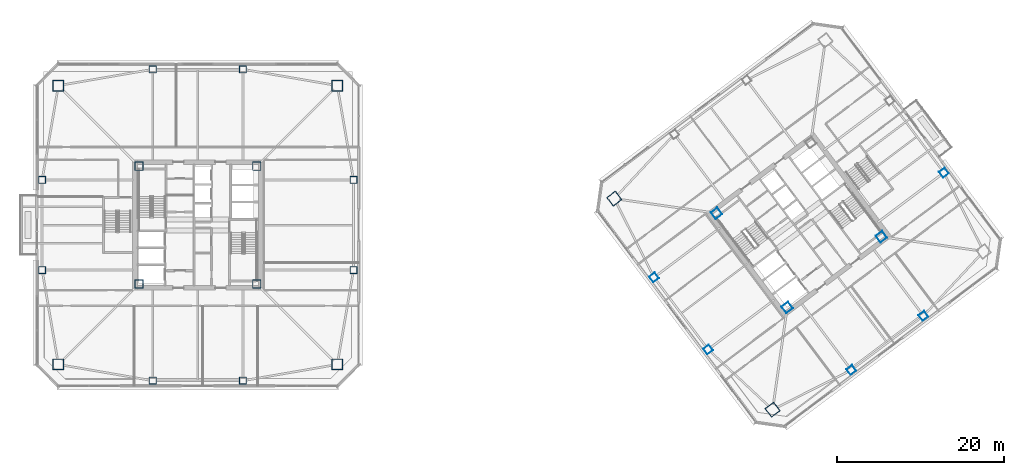
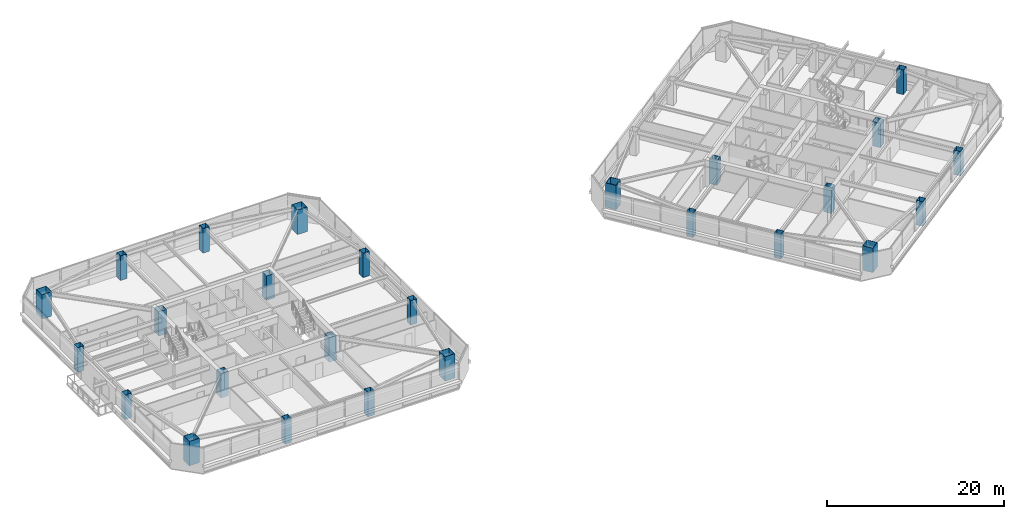
# One storey, part 1 of 44: 26 columns.
"""IFC4 building model written with IfcOpenShell, lengths in metres."""

import ifcopenshell
import ifcopenshell.guid

model = None  # the IFC model being written
_history = None  # IfcOwnerHistory: only IFC2X3 demands one
_inside = {}  # id of a spatial element -> (the spatial element, [elements in it])
_under = {}  # id of a project, library or spatial element -> (it, [spatial elements below it])
_declared = {}  # id of a project -> (the project, [libraries it declares])
_typed = {}  # id of a type object -> (the type object, [elements of that type])
_made_of = {}  # id of a material, layer set ... -> (it, [elements and type objects made of it])


def new_model(schema):
    """Start an empty IFC model of exactly this schema.

    Asked for "IFC4X3", IfcOpenShell would pick the latest addendum, in which some entities
    have other attributes; the version numbers below select the first issue.
    IFC2X3 requires an IfcOwnerHistory on every rooted entity: one is made here for all.
    """
    global model, _history
    if schema == "IFC4X3":
        model = ifcopenshell.file(schema_version=(4, 3, 0, 0))
    else:
        model = ifcopenshell.file(schema=schema)
    _inside.clear()
    _under.clear()
    _declared.clear()
    _typed.clear()
    _made_of.clear()
    _history = None
    if model.schema == "IFC2X3":
        org = make("IfcOrganization", Name="unknown")
        user = make(
            "IfcPersonAndOrganization",
            ThePerson=make("IfcPerson", FamilyName="unknown"),
            TheOrganization=org,
        )
        app = make(
            "IfcApplication",
            ApplicationDeveloper=org,
            Version="unknown",
            ApplicationFullName="unknown",
            ApplicationIdentifier="unknown",
        )
        _history = make(
            "IfcOwnerHistory",
            OwningUser=user,
            OwningApplication=app,
            ChangeAction="ADDED",
            CreationDate=0,
        )
    return model


def make(cls, **values):
    """One entity of the class cls with the attributes given. An attribute that is None is left unset."""
    return model.create_entity(
        cls, **{name: value for name, value in values.items() if value is not None}
    )


def rooted(cls, **values):
    """An entity with a GlobalId (a new one), such as an element, a storey or a relation."""
    return make(cls, GlobalId=ifcopenshell.guid.new(), OwnerHistory=_history, **values)


def si_unit(unit_type, name, prefix=None):
    """IfcSIUnit, for example si_unit("LENGTHUNIT", "METRE", prefix="MILLI")."""
    return make("IfcSIUnit", UnitType=unit_type, Prefix=prefix, Name=name)


def assignment(units):
    """IfcUnitAssignment: the units of a project."""
    return None if units is None else make("IfcUnitAssignment", Units=units)


def point(xyz):
    """IfcCartesianPoint."""
    return None if xyz is None else make("IfcCartesianPoint", Coordinates=xyz)


def direction(xyz):
    """IfcDirection."""
    return None if xyz is None else make("IfcDirection", DirectionRatios=xyz)


def frame(location, z_axis=None, x_axis=None):
    """IfcAxis2Placement3D, a coordinate frame: its origin and axes. An axis left out is left unset."""
    return make(
        "IfcAxis2Placement3D",
        Location=point(location),
        Axis=direction(z_axis),
        RefDirection=direction(x_axis),
    )


def frame_2d(location, x_axis=None):
    """IfcAxis2Placement2D, a coordinate frame in the plane: its origin and x axis."""
    return make(
        "IfcAxis2Placement2D", Location=point(location), RefDirection=direction(x_axis)
    )


def origin():
    """The frame at (0, 0, 0) with its axes left unset."""
    return frame((0.0, 0.0, 0.0))


def origin_2d():
    """The frame at (0, 0) in the plane with its x axis left unset."""
    return frame_2d((0.0, 0.0))


def place(relative_to, where):
    """IfcLocalPlacement: puts the frame where relative to a parent placement (None: the world)."""
    return make(
        "IfcLocalPlacement", PlacementRelTo=relative_to, RelativePlacement=where
    )


def context(
    kind, dimensions, precision=None, world=None, true_north=None, identifier=None
):
    """IfcGeometricRepresentationContext, for example the 3D "Model" context."""
    return make(
        "IfcGeometricRepresentationContext",
        ContextIdentifier=identifier,
        ContextType=kind,
        CoordinateSpaceDimension=dimensions,
        Precision=precision,
        WorldCoordinateSystem=world,
        TrueNorth=true_north,
    )


def subcontext(parent, identifier, kind, view, scale=None):
    """IfcGeometricRepresentationSubContext, for example "Body" below "Model"."""
    return make(
        "IfcGeometricRepresentationSubContext",
        ContextIdentifier=identifier,
        ContextType=kind,
        ParentContext=parent,
        TargetScale=scale,
        TargetView=view,
    )


def project(units=None, contexts=None):
    """IfcProject with its units and contexts."""
    return rooted(
        "IfcProject",
        Name="project",
        RepresentationContexts=contexts,
        UnitsInContext=assignment(units),
    )


def spatial(cls, under=None, at=None, **own):
    """A site, building, storey or space (cls), placed at a placement, below another one or the project."""
    s = rooted(cls, ObjectPlacement=at, **own)
    if under is not None:
        _under.setdefault(under.id(), (under, []))[1].append(s)
    return s


def profile(cls, at=None, kind="AREA", **sizes):
    """A parametric profile (cls). Its sizes go by their IFC names, for example OverallWidth=200.0."""
    return make(cls, ProfileType=kind, Position=at, **sizes)


def hollow_rectangle(**sizes):
    """IfcRectangleHollowProfileDef."""
    return profile("IfcRectangleHollowProfileDef", **sizes)


def extrude(swept, where, along, depth):
    """IfcExtrudedAreaSolid: the profile swept, set in the frame where, extruded along a direction by depth."""
    return make(
        "IfcExtrudedAreaSolid",
        SweptArea=swept,
        Position=where,
        ExtrudedDirection=direction(along),
        Depth=depth,
    )


def shape(context_of_items, identifier, shape_type, items):
    """IfcShapeRepresentation: the items that make up one representation, for example the "Body"."""
    return make(
        "IfcShapeRepresentation",
        ContextOfItems=context_of_items,
        RepresentationIdentifier=identifier,
        RepresentationType=shape_type,
        Items=items,
    )


def material(Name=None, Category=None):
    """IfcMaterial."""
    return make("IfcMaterial", Name=Name, Category=Category)


def material_profile(
    of_material, cross_section, Name=None, Category=None, Priority=None
):
    """IfcMaterialProfile: a cross section and its material."""
    return make(
        "IfcMaterialProfile",
        Name=Name,
        Material=of_material,
        Profile=cross_section,
        Priority=Priority,
        Category=Category,
    )


def profile_set(profiles, Name=None, composite=None):
    """IfcMaterialProfileSet."""
    return make(
        "IfcMaterialProfileSet",
        Name=Name,
        MaterialProfiles=profiles,
        CompositeProfile=composite,
    )


def made_of(thing, what):
    """Note that an element or type object is made of a material, layer set ...; save() writes the relation."""
    if what is not None:
        _made_of.setdefault(what.id(), (what, []))[1].append(thing)
    return thing


def type_object(cls, material=None, **own):
    """A type object (cls), such as IfcWallType, which elements share."""
    return made_of(rooted(cls, **own), material)


def element(
    cls,
    number,
    at=None,
    inside=None,
    cuts=None,
    type_object=None,
    material=None,
    context=None,
    identifier="Body",
    shape_type=None,
    held_by="IfcProductDefinitionShape",
    body=None,
    shapes=None,
    **own,
):
    """One element of the class cls, such as IfcWall. Its Tag is "e" and its number.

    at: its placement. inside: the storey or other place that contains it. cuts: it is an
    opening in that element (IfcRelVoidsElement). A single representation is given by context,
    identifier, shape_type and body (its items); several are given by shapes. held_by: the class
    of the entity that holds the representations. save() writes the other relations.
    """
    e = rooted(cls, Tag="e%d" % number, ObjectPlacement=at, **own)
    if body is not None:
        shapes = [shape(context, identifier, shape_type, body)]
    if shapes is not None:
        e.Representation = make(held_by, Representations=shapes)
    if inside is not None:
        _inside.setdefault(inside.id(), (inside, []))[1].append(e)
    if cuts is not None:
        rooted(
            "IfcRelVoidsElement", RelatingBuildingElement=cuts, RelatedOpeningElement=e
        )
    if type_object is not None:
        _typed.setdefault(type_object.id(), (type_object, []))[1].append(e)
    return made_of(e, material)


def aggregate(whole, parts):
    """IfcRelAggregates: a whole, such as a stair, and the parts it consists of."""
    return rooted("IfcRelAggregates", RelatingObject=whole, RelatedObjects=parts)


def save(model, path):
    """Write the relations noted so far, then the file.

    IfcRelAggregates (storeys below a building ...), IfcRelContainedInSpatialStructure (elements
    in a storey), IfcRelDefinesByType, IfcRelAssociatesMaterial and IfcRelDeclares: one each for
    every whole, place, type object, material and project.
    """
    for whole, parts in _under.values():
        aggregate(whole, parts)
    for where, things in _inside.values():
        rooted(
            "IfcRelContainedInSpatialStructure",
            RelatedElements=things,
            RelatingStructure=where,
        )
    for kind, things in _typed.values():
        rooted("IfcRelDefinesByType", RelatedObjects=things, RelatingType=kind)
    for what, things in _made_of.values():
        rooted("IfcRelAssociatesMaterial", RelatedObjects=things, RelatingMaterial=what)
    for by, libraries in _declared.values():
        rooted("IfcRelDeclares", RelatingContext=by, RelatedDefinitions=libraries)
    model.write(path)


model = new_model("IFC4")

# Units and contexts
model_context = context("Model", 3, precision=1e-05, world=origin(), true_north=direction((0.0, 1.0)))
body_context = subcontext(model_context, "Body", "Model", "MODEL_VIEW")
ifc_project = project(units=[si_unit("LENGTHUNIT", "METRE"), si_unit("AREAUNIT", "SQUARE_METRE"), si_unit("VOLUMEUNIT", "CUBIC_METRE"), si_unit("PLANEANGLEUNIT", "RADIAN"), si_unit("MASSUNIT", "GRAM", prefix="KILO")], contexts=[model_context])

# Site, building, storey
site_placement = place(None, origin())
site = spatial("IfcSite", under=ifc_project, at=site_placement, CompositionType="ELEMENT")
building_placement = place(site_placement, origin())
building = spatial("IfcBuilding", under=site, at=building_placement, Name="Tashvorn Skyway Center", CompositionType="ELEMENT")
storey_placement = place(building_placement, frame((0.0, 0.0, 128.60009765625)))
storey = spatial("IfcBuildingStorey", under=building, at=storey_placement, Name="L34", CompositionType="ELEMENT", Elevation=128.60009765625)

# Columns
ifc_material = material(Name="Steel ASTM A572 Grade 50", Category="steel")
ifc_material_profile_1 = material_profile(ifc_material, hollow_rectangle(XDim=1.0, YDim=1.0, WallThickness=0.0400390625, at=origin_2d()), Name="BOX1000x1000x40")
ifc_profile_set_1 = profile_set([ifc_material_profile_1], Name="Steel ASTM A572 Grade 50")
column_type_1 = type_object("IfcColumnType", Name="COL-BOX1000x1000x40", PredefinedType="COLUMN", material=ifc_profile_set_1)
for number, where, z_axis, x_axis, name in (
    (1, (34.949951171875, 24.949951171875, 0.0), (0.0, 0.0, 1.0), (1.0, 0.0, 0.0), "Tower 1 L34 Core Corner Column CC-SW"),
    (2, (49.050048828125, 24.949951171875, 0.0), (0.0, 0.0, 1.0), (1.0, 0.0, 0.0), "Tower 1 L34 Core Corner Column CC-SE"),
    (3, (49.050048828125, 39.050048828125, 0.0), (0.0, 0.0, 1.0), (1.0, 0.0, 0.0), "Tower 1 L34 Core Corner Column CC-NE"),
    (4, (34.949951171875, 39.050048828125, 0.0), (0.0, 0.0, 1.0), (1.0, 0.0, 0.0), "Tower 1 L34 Core Corner Column CC-NW"),
    (5, (112.590087890625, 22.1298828125, 0.0), (0.0, 0.0, 1.0), (0.799999996291, 0.600000004945, 0.0), "Tower 2 L34 Core Corner Column CC-SW"),
    (6, (123.8701171875, 30.590087890625, 0.0), (0.0, 0.0, 1.0), (0.799999996291, 0.600000004945, 0.0), "Tower 2 L34 Core Corner Column CC-SE"),
    (7, (104.1298828125, 33.409912109375, 0.0), (0.0, 0.0, 1.0), (0.799999996291, 0.600000004945, 0.0), "Tower 2 L34 Core Corner Column CC-NW"),
):
    element("IfcColumn", number, at=place(storey_placement, frame(where, z_axis=z_axis, x_axis=x_axis)), inside=storey, type_object=column_type_1, Name=name, PredefinedType="COLUMN", context=body_context, shape_type="SweptSolid", body=[
        extrude(hollow_rectangle(XDim=1.0, YDim=1.0, WallThickness=0.0400390625, at=origin_2d()), origin(), (0.0, 0.0, 1.0), 3.369873046875),
    ])
ifc_material_profile_2 = material_profile(ifc_material, hollow_rectangle(XDim=1.300048828125, YDim=1.300048828125, WallThickness=0.050048828125, at=origin_2d()), Name="BOX1300x1300x50")
ifc_profile_set_2 = profile_set([ifc_material_profile_2], Name="Steel ASTM A572 Grade 50")
column_type_2 = type_object("IfcColumnType", Name="COL-BOX1300x1300x50", PredefinedType="COLUMN", material=ifc_profile_set_2)
for number, where, z_axis, x_axis, name in (
    (8, (25.300048828125, 15.300048828125, 0.0), (0.0, 0.0, 1.0), (1.0, 0.0, 0.0), "Tower 1 L34 Mega-Column MC-SW"),
    (9, (58.699951171875, 15.300048828125, 0.0), (0.0, 0.0, 1.0), (1.0, 0.0, 0.0), "Tower 1 L34 Mega-Column MC-SE"),
    (10, (58.699951171875, 48.699951171875, 0.0), (0.0, 0.0, 1.0), (1.0, 0.0, 0.0), "Tower 1 L34 Mega-Column MC-NE"),
    (11, (25.300048828125, 48.699951171875, 0.0), (0.0, 0.0, 1.0), (1.0, 0.0, 0.0), "Tower 1 L34 Mega-Column MC-NW"),
    (12, (110.840087890625, 9.8798828125, 0.0), (0.0, 0.0, 1.0), (0.799999996291, 0.600000004945, 0.0), "Tower 2 L34 Mega-Column MC-SW"),
    (13, (91.8798828125, 35.159912109375, 0.0), (0.0, 0.0, 1.0), (0.799999996291, 0.600000004945, 0.0), "Tower 2 L34 Mega-Column MC-NW"),
):
    element("IfcColumn", number, at=place(storey_placement, frame(where, z_axis=z_axis, x_axis=x_axis)), inside=storey, type_object=column_type_2, Name=name, PredefinedType="COLUMN", context=body_context, shape_type="SweptSolid", body=[
        extrude(hollow_rectangle(XDim=1.300048828125, YDim=1.300048828125, WallThickness=0.050048828125, at=origin_2d()), origin(), (0.0, 0.0, 1.0), 3.369873046875),
    ])
ifc_material_profile_3 = material_profile(ifc_material, hollow_rectangle(XDim=0.85009765625, YDim=0.85009765625, WallThickness=0.034912109375, at=origin_2d()), Name="BOX850x850x35")
ifc_profile_set_3 = profile_set([ifc_material_profile_3], Name="Steel ASTM A572 Grade 50")
column_type_3 = type_object("IfcColumnType", Name="COL-BOX850x850x35", PredefinedType="COLUMN", material=ifc_profile_set_3)
for number, where, z_axis, x_axis, name in (
    (14, (36.60009765625, 13.35009765625, 0.0), (0.0, 0.0, 1.0), (1.0, 0.0, 0.0), "Tower 1 L34 Perimeter Column FC-S1"),
    (15, (47.39990234375, 13.35009765625, 0.0), (0.0, 0.0, 1.0), (1.0, 0.0, 0.0), "Tower 1 L34 Perimeter Column FC-S2"),
    (16, (60.64990234375, 26.60009765625, 0.0), (0.0, 0.0, 1.0), (1.0, 0.0, 0.0), "Tower 1 L34 Perimeter Column FC-E1"),
    (17, (60.64990234375, 37.39990234375, 0.0), (0.0, 0.0, 1.0), (1.0, 0.0, 0.0), "Tower 1 L34 Perimeter Column FC-E2"),
    (18, (47.39990234375, 50.64990234375, 0.0), (0.0, 0.0, 1.0), (1.0, 0.0, 0.0), "Tower 1 L34 Perimeter Column FC-N1"),
    (19, (36.60009765625, 50.64990234375, 0.0), (0.0, 0.0, 1.0), (1.0, 0.0, 0.0), "Tower 1 L34 Perimeter Column FC-N2"),
    (20, (23.35009765625, 37.39990234375, 0.0), (0.0, 0.0, 1.0), (1.0, 0.0, 0.0), "Tower 1 L34 Perimeter Column FC-W1"),
    (21, (23.35009765625, 26.60009765625, 0.0), (0.0, 0.0, 1.0), (1.0, 0.0, 0.0), "Tower 1 L34 Perimeter Column FC-W2"),
    (22, (120.27001953125, 14.639892578125, 0.0), (0.0, 0.0, 1.0), (0.799999996291, 0.600000004945, 0.0), "Tower 2 L34 Perimeter Column FC-S1"),
    (23, (128.909912109375, 21.1201171875, 0.0), (0.0, 0.0, 1.0), (0.799999996291, 0.600000004945, 0.0), "Tower 2 L34 Perimeter Column FC-S2"),
    (24, (131.360107421875, 38.27001953125, 0.0), (0.0, 0.0, 1.0), (0.799999996291, 0.600000004945, 0.0), "Tower 2 L34 Perimeter Column FC-E1"),
    (25, (96.639892578125, 25.72998046875, 0.0), (0.0, 0.0, 1.0), (0.799999996291, 0.600000004945, 0.0), "Tower 2 L34 Perimeter Column FC-W1"),
    (26, (103.1201171875, 17.090087890625, 0.0), (0.0, 0.0, 1.0), (0.799999996291, 0.600000004945, 0.0), "Tower 2 L34 Perimeter Column FC-W2"),
):
    element("IfcColumn", number, at=place(storey_placement, frame(where, z_axis=z_axis, x_axis=x_axis)), inside=storey, type_object=column_type_3, Name=name, PredefinedType="COLUMN", context=body_context, shape_type="SweptSolid", body=[
        extrude(hollow_rectangle(XDim=0.85009765625, YDim=0.85009765625, WallThickness=0.034912109375, at=origin_2d()), origin(), (0.0, 0.0, 1.0), 3.369873046875),
    ])

save(model, "model.ifc")
